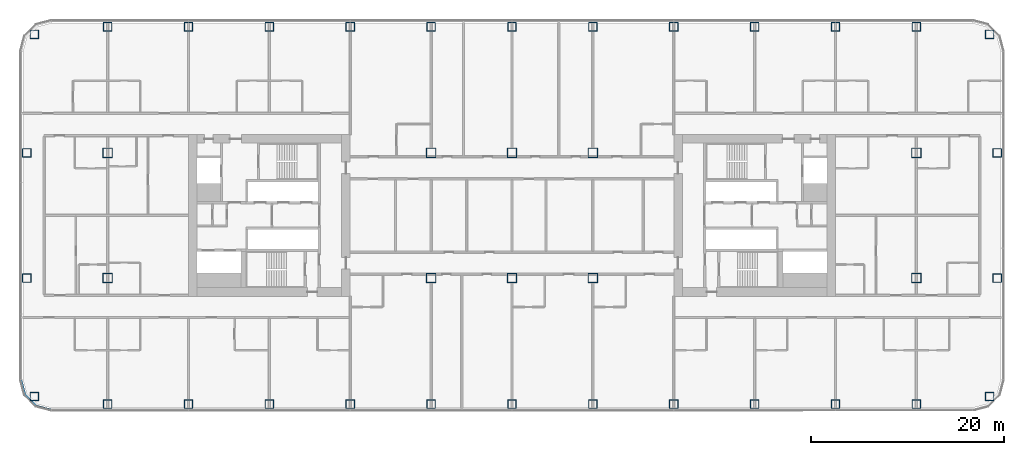
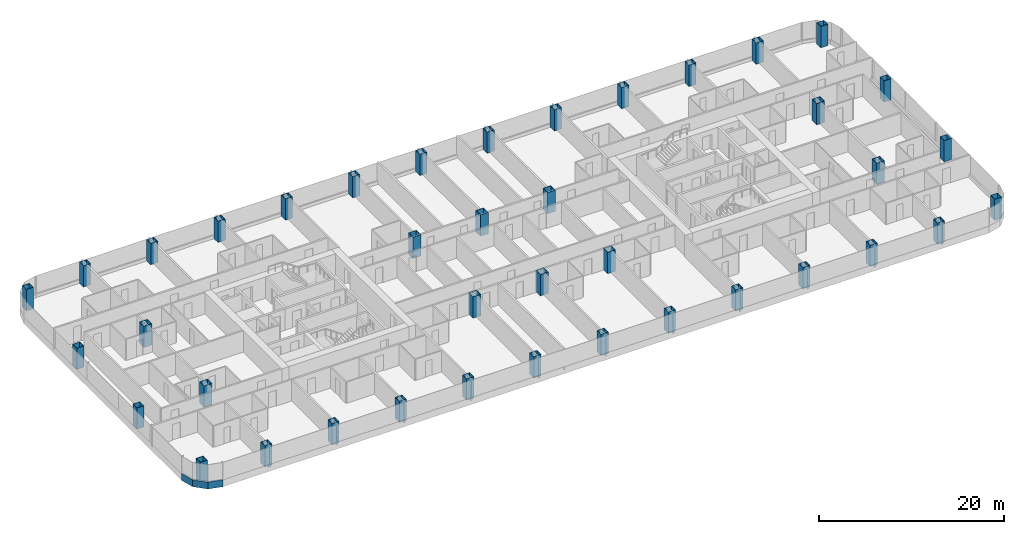
# One storey, part 1 of 28: 40 columns, 1 member, 1 element without a shape of its own.
"""IFC4 building model written with IfcOpenShell, lengths in metres."""

from ifc_helpers import new_model, si_unit, direction, frame, origin, origin_2d, place, context, subcontext, project, spatial, polyline, rectangle, hollow_rectangle, outline, extrude, material, layer, layer_set, material_profile, profile_set, type_object, element, aggregate, save


model = new_model("IFC4")

# Units and contexts
model_context = context("Model", 3, precision=1e-05, world=origin(), true_north=direction((0.0, 1.0)))
body_context = subcontext(model_context, "Body", "Model", "MODEL_VIEW")
ifc_project = project(units=[si_unit("LENGTHUNIT", "METRE"), si_unit("AREAUNIT", "SQUARE_METRE"), si_unit("VOLUMEUNIT", "CUBIC_METRE"), si_unit("PLANEANGLEUNIT", "RADIAN"), si_unit("MASSUNIT", "GRAM", prefix="KILO")], contexts=[model_context])

# Site, building, storey
site_placement = place(None, origin())
site = spatial("IfcSite", under=ifc_project, at=site_placement, CompositionType="ELEMENT")
building_placement = place(site_placement, origin())
building = spatial("IfcBuilding", under=site, at=building_placement, Name="Hakoniwa Tower and Hamabe Station Hall", CompositionType="ELEMENT")
storey_placement = place(building_placement, frame((0.0, 0.0, 35.800048828125)))
storey = spatial("IfcBuildingStorey", under=building, at=storey_placement, Name="L09", CompositionType="ELEMENT", Elevation=35.800048828125)

# Columns
ifc_material_1 = material(Name="Steel SN490C", Category="steel")
ifc_material_profile_1 = material_profile(ifc_material_1, hollow_rectangle(XDim=1.0, YDim=1.0, WallThickness=0.0400390625, at=origin_2d()), Name="BX-1000x1000x40")
ifc_profile_set_1 = profile_set([ifc_material_profile_1], Name="Steel SN490C")
column_type_1 = type_object("IfcColumnType", Name="COLUMN BX-1000x1000x40", PredefinedType="COLUMN", material=ifc_profile_set_1)
for number, where, z_axis, x_axis, name in (
    (1, (-42.0, -6.5, 0.0), (0.0, 0.0, 1.0), (1.0, 0.0, 0.0), "Column B1-2-C1"),
    (2, (-42.0, 6.5, 0.0), (0.0, 0.0, 1.0), (1.0, 0.0, 0.0), "Column B1-2-E1"),
    (3, (-8.39990234375, -6.5, 0.0), (0.0, 0.0, 1.0), (1.0, 0.0, 0.0), "Column B1-6-C1"),
    (4, (-8.39990234375, 6.5, 0.0), (0.0, 0.0, 1.0), (1.0, 0.0, 0.0), "Column B1-6-E1"),
    (5, (0.0, -6.5, 0.0), (0.0, 0.0, 1.0), (1.0, 0.0, 0.0), "Column B1-7-C1"),
    (6, (0.0, 6.5, 0.0), (0.0, 0.0, 1.0), (1.0, 0.0, 0.0), "Column B1-7-E1"),
    (7, (8.39990234375, -6.5, 0.0), (0.0, 0.0, 1.0), (1.0, 0.0, 0.0), "Column B1-8-C1"),
    (8, (8.39990234375, 6.5, 0.0), (0.0, 0.0, 1.0), (1.0, 0.0, 0.0), "Column B1-8-E1"),
    (9, (42.0, -6.5, 0.0), (0.0, 0.0, 1.0), (1.0, 0.0, 0.0), "Column B1-12-C1"),
    (10, (42.0, 6.5, 0.0), (0.0, 0.0, 1.0), (1.0, 0.0, 0.0), "Column B1-12-E1"),
):
    element("IfcColumn", number, at=place(storey_placement, frame(where, z_axis=z_axis, x_axis=x_axis)), inside=storey, type_object=column_type_1, Name=name, PredefinedType="COLUMN", context=body_context, shape_type="SweptSolid", body=[
        extrude(hollow_rectangle(XDim=1.0, YDim=1.0, WallThickness=0.0400390625, at=origin_2d()), origin(), (0.0, 0.0, 1.0), 2.800048828125),
    ])
ifc_material_2 = material(Name="Steel SN490C", Category="steel")
ifc_material_profile_2 = material_profile(ifc_material_2, hollow_rectangle(XDim=0.89990234375, YDim=0.89990234375, WallThickness=0.035888671875, at=origin_2d()), Name="BX-900x900x36")
ifc_profile_set_2 = profile_set([ifc_material_profile_2], Name="Steel SN490C")
column_type_2 = type_object("IfcColumnType", Name="COLUMN BX-900x900x36", PredefinedType="COLUMN", material=ifc_profile_set_2)
for number, where, z_axis, x_axis, name in (
    (11, (-49.60302734375, -18.802978515625, 0.0), (0.0, 0.0, 1.0), (1.0, 0.0, 0.0), "Column B1-1-A1"),
    (12, (-50.39990234375, -6.5, 0.0), (0.0, 0.0, 1.0), (1.0, 0.0, 0.0), "Column B1-1-C1"),
    (13, (-50.39990234375, 6.5, 0.0), (0.0, 0.0, 1.0), (1.0, 0.0, 0.0), "Column B1-1-E1"),
    (14, (-49.60302734375, 18.802978515625, 0.0), (0.0, 0.0, 1.0), (1.0, 0.0, 0.0), "Column B1-1-G1"),
    (15, (-42.0, -19.60009765625, 0.0), (0.0, 0.0, 1.0), (1.0, 0.0, 0.0), "Column B1-2-A1"),
    (16, (-42.0, 19.60009765625, 0.0), (0.0, 0.0, 1.0), (1.0, 0.0, 0.0), "Column B1-2-G1"),
    (17, (-33.60009765625, -19.60009765625, 0.0), (0.0, 0.0, 1.0), (1.0, 0.0, 0.0), "Column B1-3-A1"),
    (18, (-33.60009765625, 19.60009765625, 0.0), (0.0, 0.0, 1.0), (1.0, 0.0, 0.0), "Column B1-3-G1"),
    (19, (-25.199951171875, -19.60009765625, 0.0), (0.0, 0.0, 1.0), (1.0, 0.0, 0.0), "Column B1-4-A1"),
    (20, (-25.199951171875, 19.60009765625, 0.0), (0.0, 0.0, 1.0), (1.0, 0.0, 0.0), "Column B1-4-G1"),
    (21, (-16.800048828125, -19.60009765625, 0.0), (0.0, 0.0, 1.0), (1.0, 0.0, 0.0), "Column B1-5-A1"),
    (22, (-16.800048828125, 19.60009765625, 0.0), (0.0, 0.0, 1.0), (1.0, 0.0, 0.0), "Column B1-5-G1"),
    (23, (-8.39990234375, -19.60009765625, 0.0), (0.0, 0.0, 1.0), (1.0, 0.0, 0.0), "Column B1-6-A1"),
    (24, (-8.39990234375, 19.60009765625, 0.0), (0.0, 0.0, 1.0), (1.0, 0.0, 0.0), "Column B1-6-G1"),
    (25, (0.0, -19.60009765625, 0.0), (0.0, 0.0, 1.0), (1.0, 0.0, 0.0), "Column B1-7-A1"),
    (26, (0.0, 19.60009765625, 0.0), (0.0, 0.0, 1.0), (1.0, 0.0, 0.0), "Column B1-7-G1"),
    (27, (8.39990234375, -19.60009765625, 0.0), (0.0, 0.0, 1.0), (1.0, 0.0, 0.0), "Column B1-8-A1"),
    (28, (8.39990234375, 19.60009765625, 0.0), (0.0, 0.0, 1.0), (1.0, 0.0, 0.0), "Column B1-8-G1"),
    (29, (16.800048828125, -19.60009765625, 0.0), (0.0, 0.0, 1.0), (1.0, 0.0, 0.0), "Column B1-9-A1"),
    (30, (16.800048828125, 19.60009765625, 0.0), (0.0, 0.0, 1.0), (1.0, 0.0, 0.0), "Column B1-9-G1"),
    (31, (25.199951171875, -19.60009765625, 0.0), (0.0, 0.0, 1.0), (1.0, 0.0, 0.0), "Column B1-10-A1"),
    (32, (25.199951171875, 19.60009765625, 0.0), (0.0, 0.0, 1.0), (1.0, 0.0, 0.0), "Column B1-10-G1"),
    (33, (33.60009765625, -19.60009765625, 0.0), (0.0, 0.0, 1.0), (1.0, 0.0, 0.0), "Column B1-11-A1"),
    (34, (33.60009765625, 19.60009765625, 0.0), (0.0, 0.0, 1.0), (1.0, 0.0, 0.0), "Column B1-11-G1"),
    (35, (42.0, -19.60009765625, 0.0), (0.0, 0.0, 1.0), (1.0, 0.0, 0.0), "Column B1-12-A1"),
    (36, (42.0, 19.60009765625, 0.0), (0.0, 0.0, 1.0), (1.0, 0.0, 0.0), "Column B1-12-G1"),
    (37, (49.60302734375, -18.802978515625, 0.0), (0.0, 0.0, 1.0), (1.0, 0.0, 0.0), "Column B1-13-A1"),
    (38, (50.39990234375, -6.5, 0.0), (0.0, 0.0, 1.0), (1.0, 0.0, 0.0), "Column B1-13-C1"),
    (39, (50.39990234375, 6.5, 0.0), (0.0, 0.0, 1.0), (1.0, 0.0, 0.0), "Column B1-13-E1"),
    (40, (49.60302734375, 18.802978515625, 0.0), (0.0, 0.0, 1.0), (1.0, 0.0, 0.0), "Column B1-13-G1"),
):
    element("IfcColumn", number, at=place(storey_placement, frame(where, z_axis=z_axis, x_axis=x_axis)), inside=storey, type_object=column_type_2, Name=name, PredefinedType="COLUMN", context=body_context, shape_type="SweptSolid", body=[
        extrude(hollow_rectangle(XDim=0.89990234375, YDim=0.89990234375, WallThickness=0.035888671875, at=origin_2d()), origin(), (0.0, 0.0, 1.0), 2.800048828125),
    ])

# Curtain wall, member
ifc_material_3 = material(Name="Dark low-e laminated glass", Category="glass")
ifc_layer = layer(ifc_material_3, 0.199951171875)
ifc_layer_set = layer_set([ifc_layer], Name="CW-1 UNITISED GUEST")
curtain_wall_type = type_object("IfcCurtainWallType", Name="CW-1 UNITISED GUEST", PredefinedType="NOTDEFINED", material=ifc_layer_set)
curtain_wall_placement = place(storey_placement, origin())
curtain_wall = element("IfcCurtainWall", 41, at=curtain_wall_placement, inside=storey, type_object=curtain_wall_type, Name="CW-1 curtain wall", PredefinedType="NOTDEFINED")
ifc_material_4 = material(Name="Aluminium 6063-T5 black anodised", Category="aluminium")
ifc_material_profile_3 = material_profile(ifc_material_4, rectangle(XDim=0.199951171875, YDim=0.89990234375, at=origin_2d()), Name="CW SLAB-EDGE BAND 900X200")
ifc_profile_set_3 = profile_set([ifc_material_profile_3], Name="Aluminium 6063-T5 black anodised")
member_type = type_object("IfcMemberType", Name="CW SLAB-EDGE BAND 900X200", PredefinedType="USERDEFINED", material=ifc_profile_set_3)
member_placement = place(storey_placement, frame((0.0, 0.0, -0.550048828125)))
member = element("IfcMember", 42, at=member_placement, type_object=member_type, Name="CW-1 transom", ObjectType="TRANSOM", PredefinedType="USERDEFINED", context=body_context, shape_type="SweptSolid", body=[
    extrude(outline(polyline([(-51.10009765625, -17.03955078125), (-50.6669921875, -18.6552734375), (-49.455322265625, -19.866943359375), (-47.839599609375, -20.300048828125), (-47.787841796875, -20.10693359375), (-49.351806640625, -19.687744140625), (-50.48779296875, -18.5517578125), (-50.90673828125, -16.98779296875), (-51.10009765625, -17.03955078125)])), origin(), (0.0, 0.0, 1.0), 0.89990234375),
])
aggregate(curtain_wall, [member])

save(model, "model.ifc")
